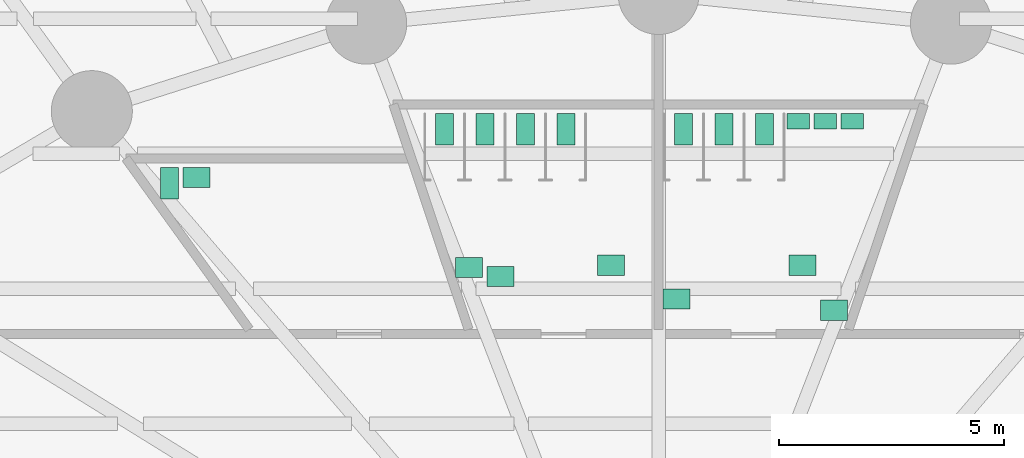
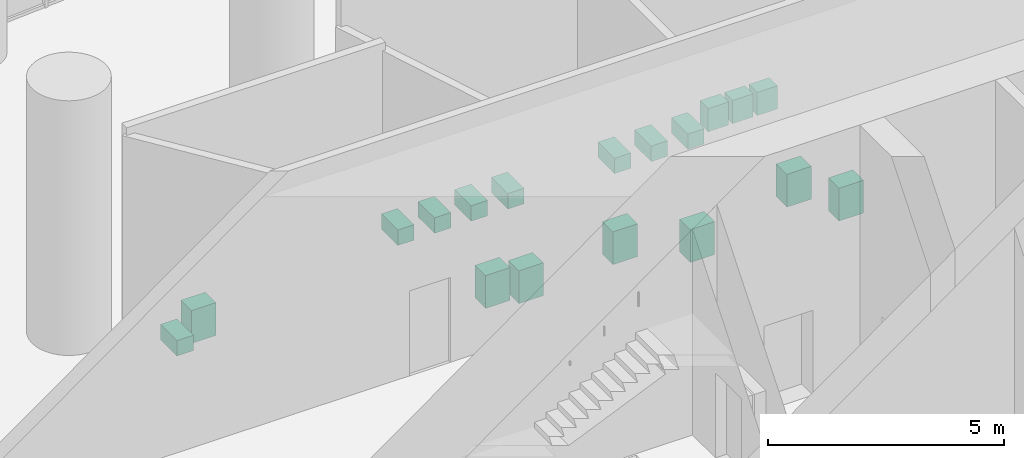
# One storey, part 21 of 22: 18 sanitary terminals.
"""IFC4 building model written with IfcOpenShell, lengths in metres."""

from ifc_helpers import new_model, si_unit, direction, frame, origin, origin_2d, place, context, subcontext, project, spatial, rectangle, extrude, element, save


model = new_model("IFC4")

# Units and contexts
model_context = context("Model", 3, precision=1e-05, world=origin(), true_north=direction((0.0, 1.0)))
body_context = subcontext(model_context, "Body", "Model", "MODEL_VIEW")
ifc_project = project(units=[si_unit("LENGTHUNIT", "METRE"), si_unit("AREAUNIT", "SQUARE_METRE"), si_unit("VOLUMEUNIT", "CUBIC_METRE"), si_unit("PLANEANGLEUNIT", "RADIAN"), si_unit("MASSUNIT", "GRAM", prefix="KILO")], contexts=[model_context])

# Site, building, storey
site_placement = place(None, origin())
site = spatial("IfcSite", under=ifc_project, at=site_placement, CompositionType="ELEMENT")
building_placement = place(site_placement, origin())
building = spatial("IfcBuilding", under=site, at=building_placement, Name="Hankou Lantern Tower", CompositionType="ELEMENT")
storey_placement = place(building_placement, frame((0.0, 0.0, 7.199951171875)))
storey = spatial("IfcBuildingStorey", under=building, at=storey_placement, Name="L01", CompositionType="ELEMENT", Elevation=7.199951171875)

# Sanitary terminals
for number, where, z_axis, x_axis, name in (
    (1, (0.550048828125, 17.050048828125, 0.0), (0.0, 0.0, 1.0), (1.0, 0.0, 0.0), "Male WC WC pan 1"),
    (2, (1.449951171875, 17.050048828125, 0.0), (0.0, 0.0, 1.0), (1.0, 0.0, 0.0), "Male WC WC pan 2"),
    (3, (2.35009765625, 17.050048828125, 0.0), (0.0, 0.0, 1.0), (1.0, 0.0, 0.0), "Male WC WC pan 3"),
):
    element("IfcSanitaryTerminal", number, at=place(storey_placement, frame(where, z_axis=z_axis, x_axis=x_axis)), inside=storey, Name=name, PredefinedType="TOILETPAN", context=body_context, shape_type="SweptSolid", body=[
        extrude(rectangle(XDim=0.39990234375, YDim=0.699951171875, at=origin_2d()), origin(), (0.0, 0.0, 1.0), 0.39990234375),
    ])
for number, where, z_axis, x_axis, name in (
    (4, (3.10009765625, 17.22509765625, 0.0), (0.0, 0.0, 1.0), (1.0, 0.0, 0.0), "Male WC urinal 1"),
    (5, (3.699951171875, 17.22509765625, 0.0), (0.0, 0.0, 1.0), (1.0, 0.0, 0.0), "Male WC urinal 2"),
    (6, (4.300048828125, 17.22509765625, 0.0), (0.0, 0.0, 1.0), (1.0, 0.0, 0.0), "Male WC urinal 3"),
):
    element("IfcSanitaryTerminal", number, at=place(storey_placement, frame(where, z_axis=z_axis, x_axis=x_axis)), inside=storey, Name=name, PredefinedType="URINAL", context=body_context, shape_type="SweptSolid", body=[
        extrude(rectangle(XDim=0.5, YDim=0.35009765625, at=origin_2d()), origin(), (0.0, 0.0, 1.0), 0.60009765625),
    ])
for number, where, z_axis, x_axis, name in (
    (7, (0.39990234375, 13.27490234375, 0.0), (0.0, 0.0, 1.0), (1.0, 0.0, 0.0), "Male WC wash basin 1"),
    (8, (3.199951171875, 14.02490234375, 0.0), (0.0, 0.0, 1.0), (1.0, 0.0, 0.0), "Male WC wash basin 2"),
    (9, (3.89990234375, 13.02490234375, 0.0), (0.0, 0.0, 1.0), (1.0, 0.0, 0.0), "Male WC wash basin 3"),
):
    element("IfcSanitaryTerminal", number, at=place(storey_placement, frame(where, z_axis=z_axis, x_axis=x_axis)), inside=storey, Name=name, PredefinedType="WASHHANDBASIN", context=body_context, shape_type="SweptSolid", body=[
        extrude(rectangle(XDim=0.60009765625, YDim=0.449951171875, at=origin_2d()), origin(), (0.0, 0.0, 1.0), 0.85009765625),
    ])
for number, where, z_axis, x_axis, name in (
    (10, (-4.761474609375, 17.050048828125, 0.0), (0.0, 0.0, 1.0), (1.0, 0.0, 0.0), "Female WC WC pan 1"),
    (11, (-3.861328125, 17.050048828125, 0.0), (0.0, 0.0, 1.0), (1.0, 0.0, 0.0), "Female WC WC pan 2"),
    (12, (-2.96142578125, 17.050048828125, 0.0), (0.0, 0.0, 1.0), (1.0, 0.0, 0.0), "Female WC WC pan 3"),
    (13, (-2.061279296875, 17.050048828125, 0.0), (0.0, 0.0, 1.0), (1.0, 0.0, 0.0), "Female WC WC pan 4"),
):
    element("IfcSanitaryTerminal", number, at=place(storey_placement, frame(where, z_axis=z_axis, x_axis=x_axis)), inside=storey, Name=name, PredefinedType="TOILETPAN", context=body_context, shape_type="SweptSolid", body=[
        extrude(rectangle(XDim=0.39990234375, YDim=0.699951171875, at=origin_2d()), origin(), (0.0, 0.0, 1.0), 0.39990234375),
    ])
for number, where, z_axis, x_axis, name in (
    (14, (-4.21142578125, 13.97509765625, 0.0), (0.0, 0.0, 1.0), (1.0, 0.0, 0.0), "Female WC wash basin 1"),
    (15, (-3.511474609375, 13.77490234375, 0.0), (0.0, 0.0, 1.0), (1.0, 0.0, 0.0), "Female WC wash basin 2"),
    (16, (-1.061279296875, 14.02490234375, 0.0), (0.0, 0.0, 1.0), (1.0, 0.0, 0.0), "Female WC wash basin 3"),
):
    element("IfcSanitaryTerminal", number, at=place(storey_placement, frame(where, z_axis=z_axis, x_axis=x_axis)), inside=storey, Name=name, PredefinedType="WASHHANDBASIN", context=body_context, shape_type="SweptSolid", body=[
        extrude(rectangle(XDim=0.60009765625, YDim=0.449951171875, at=origin_2d()), origin(), (0.0, 0.0, 1.0), 0.85009765625),
    ])
sanitary_terminal_1_placement = place(storey_placement, frame((-10.863525390625, 15.85009765625, 0.0), z_axis=(0.0, 0.0, 1.0), x_axis=(1.0, 0.0, 0.0)))
element("IfcSanitaryTerminal", 17, at=sanitary_terminal_1_placement, inside=storey, Name="Accessible WC WC pan 1", PredefinedType="TOILETPAN", context=body_context, shape_type="SweptSolid", body=[
    extrude(rectangle(XDim=0.39990234375, YDim=0.699951171875, at=origin_2d()), origin(), (0.0, 0.0, 1.0), 0.39990234375),
])
sanitary_terminal_2_placement = place(storey_placement, frame((-10.263427734375, 15.97509765625, 0.0), z_axis=(0.0, 0.0, 1.0), x_axis=(1.0, 0.0, 0.0)))
element("IfcSanitaryTerminal", 18, at=sanitary_terminal_2_placement, inside=storey, Name="Accessible WC wash basin 1", PredefinedType="WASHHANDBASIN", context=body_context, shape_type="SweptSolid", body=[
    extrude(rectangle(XDim=0.60009765625, YDim=0.449951171875, at=origin_2d()), origin(), (0.0, 0.0, 1.0), 0.85009765625),
])

save(model, "model.ifc")
